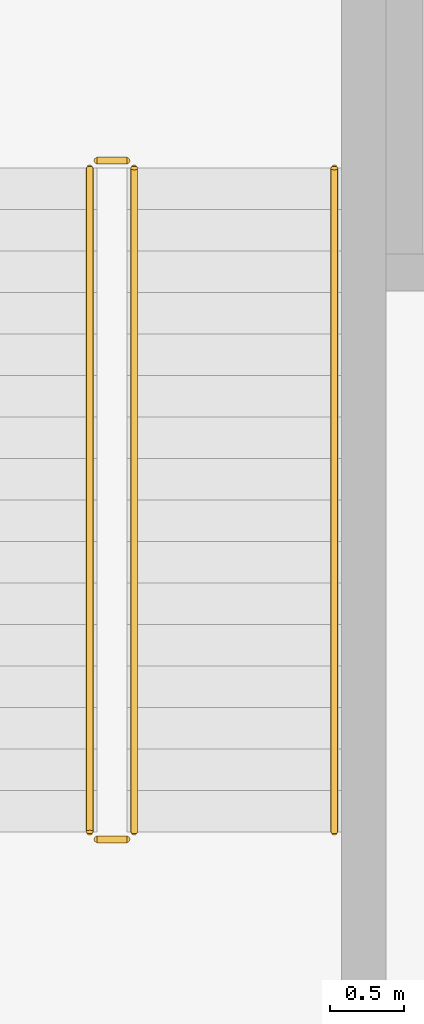
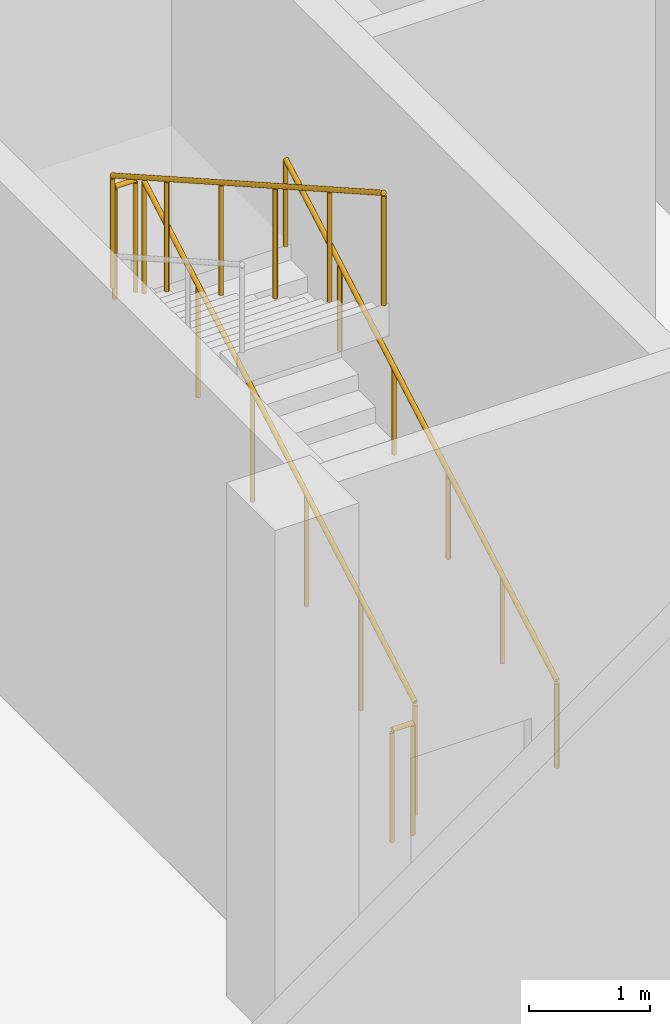
# One storey, part 29 of 34: 5 railings.
"""IFC4 building model written with IfcOpenShell, lengths in metres."""

import ifcopenshell
import ifcopenshell.guid

model = None  # the IFC model being written
_history = None  # IfcOwnerHistory: only IFC2X3 demands one
_inside = {}  # id of a spatial element -> (the spatial element, [elements in it])
_under = {}  # id of a project, library or spatial element -> (it, [spatial elements below it])
_declared = {}  # id of a project -> (the project, [libraries it declares])
_typed = {}  # id of a type object -> (the type object, [elements of that type])
_made_of = {}  # id of a material, layer set ... -> (it, [elements and type objects made of it])


def new_model(schema):
    """Start an empty IFC model of exactly this schema.

    Asked for "IFC4X3", IfcOpenShell would pick the latest addendum, in which some entities
    have other attributes; the version numbers below select the first issue.
    IFC2X3 requires an IfcOwnerHistory on every rooted entity: one is made here for all.
    """
    global model, _history
    if schema == "IFC4X3":
        model = ifcopenshell.file(schema_version=(4, 3, 0, 0))
    else:
        model = ifcopenshell.file(schema=schema)
    _inside.clear()
    _under.clear()
    _declared.clear()
    _typed.clear()
    _made_of.clear()
    _history = None
    if model.schema == "IFC2X3":
        org = make("IfcOrganization", Name="unknown")
        user = make(
            "IfcPersonAndOrganization",
            ThePerson=make("IfcPerson", FamilyName="unknown"),
            TheOrganization=org,
        )
        app = make(
            "IfcApplication",
            ApplicationDeveloper=org,
            Version="unknown",
            ApplicationFullName="unknown",
            ApplicationIdentifier="unknown",
        )
        _history = make(
            "IfcOwnerHistory",
            OwningUser=user,
            OwningApplication=app,
            ChangeAction="ADDED",
            CreationDate=0,
        )
    return model


def make(cls, **values):
    """One entity of the class cls with the attributes given. An attribute that is None is left unset."""
    return model.create_entity(
        cls, **{name: value for name, value in values.items() if value is not None}
    )


def rooted(cls, **values):
    """An entity with a GlobalId (a new one), such as an element, a storey or a relation."""
    return make(cls, GlobalId=ifcopenshell.guid.new(), OwnerHistory=_history, **values)


def si_unit(unit_type, name, prefix=None):
    """IfcSIUnit, for example si_unit("LENGTHUNIT", "METRE", prefix="MILLI")."""
    return make("IfcSIUnit", UnitType=unit_type, Prefix=prefix, Name=name)


def assignment(units):
    """IfcUnitAssignment: the units of a project."""
    return None if units is None else make("IfcUnitAssignment", Units=units)


def point(xyz):
    """IfcCartesianPoint."""
    return None if xyz is None else make("IfcCartesianPoint", Coordinates=xyz)


def direction(xyz):
    """IfcDirection."""
    return None if xyz is None else make("IfcDirection", DirectionRatios=xyz)


def frame(location, z_axis=None, x_axis=None):
    """IfcAxis2Placement3D, a coordinate frame: its origin and axes. An axis left out is left unset."""
    return make(
        "IfcAxis2Placement3D",
        Location=point(location),
        Axis=direction(z_axis),
        RefDirection=direction(x_axis),
    )


def frame_2d(location, x_axis=None):
    """IfcAxis2Placement2D, a coordinate frame in the plane: its origin and x axis."""
    return make(
        "IfcAxis2Placement2D", Location=point(location), RefDirection=direction(x_axis)
    )


def origin():
    """The frame at (0, 0, 0) with its axes left unset."""
    return frame((0.0, 0.0, 0.0))


def origin_2d():
    """The frame at (0, 0) in the plane with its x axis left unset."""
    return frame_2d((0.0, 0.0))


def place(relative_to, where):
    """IfcLocalPlacement: puts the frame where relative to a parent placement (None: the world)."""
    return make(
        "IfcLocalPlacement", PlacementRelTo=relative_to, RelativePlacement=where
    )


def context(
    kind, dimensions, precision=None, world=None, true_north=None, identifier=None
):
    """IfcGeometricRepresentationContext, for example the 3D "Model" context."""
    return make(
        "IfcGeometricRepresentationContext",
        ContextIdentifier=identifier,
        ContextType=kind,
        CoordinateSpaceDimension=dimensions,
        Precision=precision,
        WorldCoordinateSystem=world,
        TrueNorth=true_north,
    )


def subcontext(parent, identifier, kind, view, scale=None):
    """IfcGeometricRepresentationSubContext, for example "Body" below "Model"."""
    return make(
        "IfcGeometricRepresentationSubContext",
        ContextIdentifier=identifier,
        ContextType=kind,
        ParentContext=parent,
        TargetScale=scale,
        TargetView=view,
    )


def project(units=None, contexts=None):
    """IfcProject with its units and contexts."""
    return rooted(
        "IfcProject",
        Name="project",
        RepresentationContexts=contexts,
        UnitsInContext=assignment(units),
    )


def spatial(cls, under=None, at=None, **own):
    """A site, building, storey or space (cls), placed at a placement, below another one or the project."""
    s = rooted(cls, ObjectPlacement=at, **own)
    if under is not None:
        _under.setdefault(under.id(), (under, []))[1].append(s)
    return s


def profile(cls, at=None, kind="AREA", **sizes):
    """A parametric profile (cls). Its sizes go by their IFC names, for example OverallWidth=200.0."""
    return make(cls, ProfileType=kind, Position=at, **sizes)


def circle(**sizes):
    """IfcCircleProfileDef."""
    return profile("IfcCircleProfileDef", **sizes)


def extrude(swept, where, along, depth):
    """IfcExtrudedAreaSolid: the profile swept, set in the frame where, extruded along a direction by depth."""
    return make(
        "IfcExtrudedAreaSolid",
        SweptArea=swept,
        Position=where,
        ExtrudedDirection=direction(along),
        Depth=depth,
    )


def shape(context_of_items, identifier, shape_type, items):
    """IfcShapeRepresentation: the items that make up one representation, for example the "Body"."""
    return make(
        "IfcShapeRepresentation",
        ContextOfItems=context_of_items,
        RepresentationIdentifier=identifier,
        RepresentationType=shape_type,
        Items=items,
    )


def material(Name=None, Category=None):
    """IfcMaterial."""
    return make("IfcMaterial", Name=Name, Category=Category)


def made_of(thing, what):
    """Note that an element or type object is made of a material, layer set ...; save() writes the relation."""
    if what is not None:
        _made_of.setdefault(what.id(), (what, []))[1].append(thing)
    return thing


def type_object(cls, material=None, **own):
    """A type object (cls), such as IfcWallType, which elements share."""
    return made_of(rooted(cls, **own), material)


def element(
    cls,
    number,
    at=None,
    inside=None,
    cuts=None,
    type_object=None,
    material=None,
    context=None,
    identifier="Body",
    shape_type=None,
    held_by="IfcProductDefinitionShape",
    body=None,
    shapes=None,
    **own,
):
    """One element of the class cls, such as IfcWall. Its Tag is "e" and its number.

    at: its placement. inside: the storey or other place that contains it. cuts: it is an
    opening in that element (IfcRelVoidsElement). A single representation is given by context,
    identifier, shape_type and body (its items); several are given by shapes. held_by: the class
    of the entity that holds the representations. save() writes the other relations.
    """
    e = rooted(cls, Tag="e%d" % number, ObjectPlacement=at, **own)
    if body is not None:
        shapes = [shape(context, identifier, shape_type, body)]
    if shapes is not None:
        e.Representation = make(held_by, Representations=shapes)
    if inside is not None:
        _inside.setdefault(inside.id(), (inside, []))[1].append(e)
    if cuts is not None:
        rooted(
            "IfcRelVoidsElement", RelatingBuildingElement=cuts, RelatedOpeningElement=e
        )
    if type_object is not None:
        _typed.setdefault(type_object.id(), (type_object, []))[1].append(e)
    return made_of(e, material)


def aggregate(whole, parts):
    """IfcRelAggregates: a whole, such as a stair, and the parts it consists of."""
    return rooted("IfcRelAggregates", RelatingObject=whole, RelatedObjects=parts)


def save(model, path):
    """Write the relations noted so far, then the file.

    IfcRelAggregates (storeys below a building ...), IfcRelContainedInSpatialStructure (elements
    in a storey), IfcRelDefinesByType, IfcRelAssociatesMaterial and IfcRelDeclares: one each for
    every whole, place, type object, material and project.
    """
    for whole, parts in _under.values():
        aggregate(whole, parts)
    for where, things in _inside.values():
        rooted(
            "IfcRelContainedInSpatialStructure",
            RelatedElements=things,
            RelatingStructure=where,
        )
    for kind, things in _typed.values():
        rooted("IfcRelDefinesByType", RelatedObjects=things, RelatingType=kind)
    for what, things in _made_of.values():
        rooted("IfcRelAssociatesMaterial", RelatedObjects=things, RelatingMaterial=what)
    for by, libraries in _declared.values():
        rooted("IfcRelDeclares", RelatingContext=by, RelatedDefinitions=libraries)
    model.write(path)


model = new_model("IFC4")

# Units and contexts
model_context = context("Model", 3, precision=1e-05, world=origin(), true_north=direction((0.0, 1.0)))
body_context = subcontext(model_context, "Body", "Model", "MODEL_VIEW")
ifc_project = project(units=[si_unit("LENGTHUNIT", "METRE"), si_unit("AREAUNIT", "SQUARE_METRE"), si_unit("VOLUMEUNIT", "CUBIC_METRE"), si_unit("PLANEANGLEUNIT", "RADIAN"), si_unit("MASSUNIT", "GRAM", prefix="KILO")], contexts=[model_context])

# Site, building, storey
site_placement = place(None, origin())
site = spatial("IfcSite", under=ifc_project, at=site_placement, CompositionType="ELEMENT")
building_placement = place(site_placement, origin())
building = spatial("IfcBuilding", under=site, at=building_placement, Name="Brinegate Botanical Conservatory", CompositionType="ELEMENT")
storey_placement = place(building_placement, origin())
storey = spatial("IfcBuildingStorey", under=building, at=storey_placement, Name="L01", CompositionType="ELEMENT", Elevation=0.0)

# Railings
ifc_material_1 = material(Name="Structural steel Q355B / S355 painted tubular guardrail", Category="steel")
railing_type_1 = type_object("IfcRailingType", Name="Rail_ST-GRD", PredefinedType="GUARDRAIL", material=ifc_material_1)
railing_1_placement = place(storey_placement, frame((61.75, 96.89990234375, 0.158935546875)))
element("IfcRailing", 1, at=railing_1_placement, inside=storey, type_object=railing_type_1, Name="L01 ST3 stair guard 1", PredefinedType="GUARDRAIL", context=body_context, shape_type="SweptSolid", body=[
    extrude(circle(Radius=0.02392578125, at=origin_2d()), frame((0.0, 0.0, 1.1259765625), z_axis=(0.0, 0.869825572089, 0.493359376256), x_axis=(-1.0, 0.0, 0.0)), (0.0, 0.0, 1.0), 5.150390625),
    extrude(circle(Radius=0.02099609375, at=origin_2d()), origin(), (0.0, 0.0, 1.0), 1.101806640625),
    extrude(circle(Radius=0.02099609375, at=origin_2d()), frame((0.0, 0.89599609375, 0.50830078125)), (0.0, 0.0, 1.0), 1.101806640625),
    extrude(circle(Radius=0.02099609375, at=origin_2d()), frame((0.0, 1.7919921875, 1.016357421875)), (0.0, 0.0, 1.0), 1.101806640625),
    extrude(circle(Radius=0.02099609375, at=origin_2d()), frame((0.0, 2.68798828125, 1.524658203125)), (0.0, 0.0, 1.0), 1.101806640625),
    extrude(circle(Radius=0.02099609375, at=origin_2d()), frame((0.0, 3.583984375, 2.03271484375)), (0.0, 0.0, 1.0), 1.101806640625),
    extrude(circle(Radius=0.02099609375, at=origin_2d()), frame((0.0, 4.47998046875, 2.541015625)), (0.0, 0.0, 1.0), 1.101806640625),
])
railing_2_placement = place(storey_placement, frame((61.699951171875, 101.429931640625, 2.699951171875)))
element("IfcRailing", 2, at=railing_2_placement, inside=storey, type_object=railing_type_1, Name="L01 ST3 stair guard 2", PredefinedType="GUARDRAIL", context=body_context, shape_type="SweptSolid", body=[
    extrude(circle(Radius=0.02392578125, at=origin_2d()), frame((0.0, 0.0, 1.1259765625), z_axis=(-1.0, 0.0, 0.0), x_axis=(0.0, -1.0, 0.0)), (0.0, 0.0, 1.0), 0.199951171875),
    extrude(circle(Radius=0.02099609375, at=origin_2d()), origin(), (0.0, 0.0, 1.0), 1.101806640625),
    extrude(circle(Radius=0.02099609375, at=origin_2d()), frame((-0.199951171875, 0.0, 0.0)), (0.0, 0.0, 1.0), 1.101806640625),
])
railing_3_placement = place(storey_placement, frame((61.449951171875, 101.3798828125, 2.85888671875)))
element("IfcRailing", 3, at=railing_3_placement, inside=storey, type_object=railing_type_1, Name="L01 ST3 stair guard 3", PredefinedType="GUARDRAIL", context=body_context, shape_type="SweptSolid", body=[
    extrude(circle(Radius=0.02392578125, at=origin_2d()), frame((0.0, 0.0, 1.1259765625), z_axis=(0.0, -0.869825572089, 0.493359376256), x_axis=(1.0, 0.0, 0.0)), (0.0, 0.0, 1.0), 5.150390625),
    extrude(circle(Radius=0.02099609375, at=origin_2d()), origin(), (0.0, 0.0, 1.0), 1.101806640625),
    extrude(circle(Radius=0.02099609375, at=origin_2d()), frame((0.0, -0.89599609375, 0.50830078125)), (0.0, 0.0, 1.0), 1.101806640625),
    extrude(circle(Radius=0.02099609375, at=origin_2d()), frame((0.0, -1.7919921875, 1.016357421875)), (0.0, 0.0, 1.0), 1.101806640625),
    extrude(circle(Radius=0.02099609375, at=origin_2d()), frame((0.0, -2.68798828125, 1.524658203125)), (0.0, 0.0, 1.0), 1.101806640625),
    extrude(circle(Radius=0.02099609375, at=origin_2d()), frame((0.0, -3.583984375, 2.03271484375)), (0.0, 0.0, 1.0), 1.101806640625),
    extrude(circle(Radius=0.02099609375, at=origin_2d()), frame((0.0, -4.47998046875, 2.541015625)), (0.0, 0.0, 1.0), 1.101806640625),
])
railing_4_placement = place(storey_placement, frame((61.699951171875, 96.85009765625, 0.0)))
element("IfcRailing", 4, at=railing_4_placement, inside=storey, type_object=railing_type_1, Name="L01 ST3 stair guard 4", PredefinedType="GUARDRAIL", context=body_context, shape_type="SweptSolid", body=[
    extrude(circle(Radius=0.02392578125, at=origin_2d()), frame((0.0, 0.0, 1.1259765625), z_axis=(-1.0, 0.0, 0.0), x_axis=(0.0, -1.0, 0.0)), (0.0, 0.0, 1.0), 0.199951171875),
    extrude(circle(Radius=0.02099609375, at=origin_2d()), origin(), (0.0, 0.0, 1.0), 1.101806640625),
    extrude(circle(Radius=0.02099609375, at=origin_2d()), frame((-0.199951171875, 0.0, 0.0)), (0.0, 0.0, 1.0), 1.101806640625),
])
ifc_material_2 = material(Name="Brushed stainless steel S355 handrail", Category="steel")
railing_type_2 = type_object("IfcRailingType", Name="Rail_ST-HND", PredefinedType="HANDRAIL", material=ifc_material_2)
railing_5_placement = place(storey_placement, frame((63.10009765625, 96.89990234375, 0.158935546875)))
element("IfcRailing", 5, at=railing_5_placement, inside=storey, type_object=railing_type_2, Name="L01 ST3 stair handrail 1", PredefinedType="HANDRAIL", context=body_context, shape_type="SweptSolid", body=[
    extrude(circle(Radius=0.02392578125, at=origin_2d()), frame((0.0, 0.0, 0.8759765625), z_axis=(0.0, 0.869825572089, 0.493359376256), x_axis=(-1.0, 0.0, 0.0)), (0.0, 0.0, 1.0), 5.150390625),
    extrude(circle(Radius=0.02099609375, at=origin_2d()), origin(), (0.0, 0.0, 1.0), 0.851806640625),
    extrude(circle(Radius=0.02099609375, at=origin_2d()), frame((0.0, 0.89599609375, 0.50830078125)), (0.0, 0.0, 1.0), 0.851806640625),
    extrude(circle(Radius=0.02099609375, at=origin_2d()), frame((0.0, 1.7919921875, 1.016357421875)), (0.0, 0.0, 1.0), 0.851806640625),
    extrude(circle(Radius=0.02099609375, at=origin_2d()), frame((0.0, 2.68798828125, 1.524658203125)), (0.0, 0.0, 1.0), 0.851806640625),
    extrude(circle(Radius=0.02099609375, at=origin_2d()), frame((0.0, 3.583984375, 2.03271484375)), (0.0, 0.0, 1.0), 0.851806640625),
    extrude(circle(Radius=0.02099609375, at=origin_2d()), frame((0.0, 4.47998046875, 2.541015625)), (0.0, 0.0, 1.0), 0.851806640625),
])

save(model, "model.ifc")
